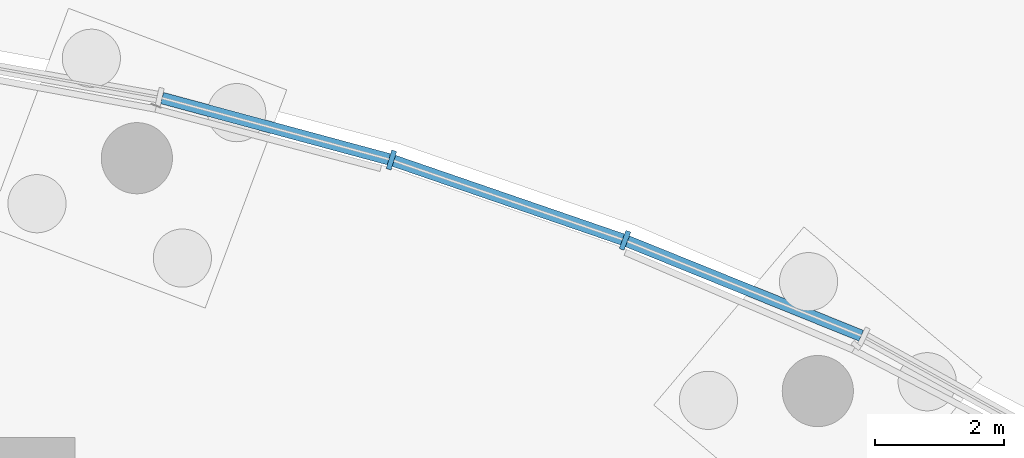
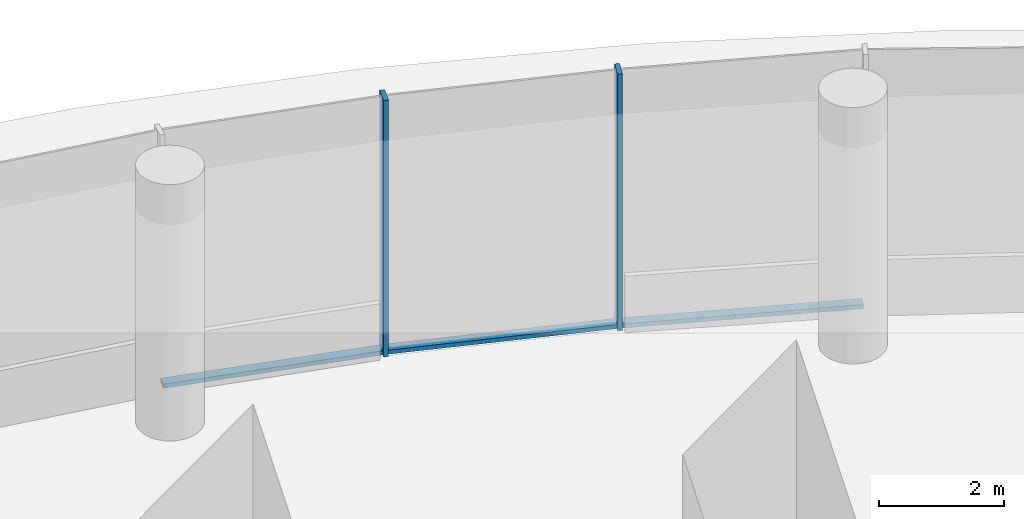
# One storey, part 6 of 29: 5 members, 1 element without a shape of its own.
"""IFC4 building model written with IfcOpenShell, lengths in metres."""

import ifcopenshell
import ifcopenshell.guid

model = None  # the IFC model being written
_history = None  # IfcOwnerHistory: only IFC2X3 demands one
_inside = {}  # id of a spatial element -> (the spatial element, [elements in it])
_under = {}  # id of a project, library or spatial element -> (it, [spatial elements below it])
_declared = {}  # id of a project -> (the project, [libraries it declares])
_typed = {}  # id of a type object -> (the type object, [elements of that type])
_made_of = {}  # id of a material, layer set ... -> (it, [elements and type objects made of it])


def new_model(schema):
    """Start an empty IFC model of exactly this schema.

    Asked for "IFC4X3", IfcOpenShell would pick the latest addendum, in which some entities
    have other attributes; the version numbers below select the first issue.
    IFC2X3 requires an IfcOwnerHistory on every rooted entity: one is made here for all.
    """
    global model, _history
    if schema == "IFC4X3":
        model = ifcopenshell.file(schema_version=(4, 3, 0, 0))
    else:
        model = ifcopenshell.file(schema=schema)
    _inside.clear()
    _under.clear()
    _declared.clear()
    _typed.clear()
    _made_of.clear()
    _history = None
    if model.schema == "IFC2X3":
        org = make("IfcOrganization", Name="unknown")
        user = make(
            "IfcPersonAndOrganization",
            ThePerson=make("IfcPerson", FamilyName="unknown"),
            TheOrganization=org,
        )
        app = make(
            "IfcApplication",
            ApplicationDeveloper=org,
            Version="unknown",
            ApplicationFullName="unknown",
            ApplicationIdentifier="unknown",
        )
        _history = make(
            "IfcOwnerHistory",
            OwningUser=user,
            OwningApplication=app,
            ChangeAction="ADDED",
            CreationDate=0,
        )
    return model


def make(cls, **values):
    """One entity of the class cls with the attributes given. An attribute that is None is left unset."""
    return model.create_entity(
        cls, **{name: value for name, value in values.items() if value is not None}
    )


def rooted(cls, **values):
    """An entity with a GlobalId (a new one), such as an element, a storey or a relation."""
    return make(cls, GlobalId=ifcopenshell.guid.new(), OwnerHistory=_history, **values)


def si_unit(unit_type, name, prefix=None):
    """IfcSIUnit, for example si_unit("LENGTHUNIT", "METRE", prefix="MILLI")."""
    return make("IfcSIUnit", UnitType=unit_type, Prefix=prefix, Name=name)


def assignment(units):
    """IfcUnitAssignment: the units of a project."""
    return None if units is None else make("IfcUnitAssignment", Units=units)


def point(xyz):
    """IfcCartesianPoint."""
    return None if xyz is None else make("IfcCartesianPoint", Coordinates=xyz)


def direction(xyz):
    """IfcDirection."""
    return None if xyz is None else make("IfcDirection", DirectionRatios=xyz)


def frame(location, z_axis=None, x_axis=None):
    """IfcAxis2Placement3D, a coordinate frame: its origin and axes. An axis left out is left unset."""
    return make(
        "IfcAxis2Placement3D",
        Location=point(location),
        Axis=direction(z_axis),
        RefDirection=direction(x_axis),
    )


def frame_2d(location, x_axis=None):
    """IfcAxis2Placement2D, a coordinate frame in the plane: its origin and x axis."""
    return make(
        "IfcAxis2Placement2D", Location=point(location), RefDirection=direction(x_axis)
    )


def origin():
    """The frame at (0, 0, 0) with its axes left unset."""
    return frame((0.0, 0.0, 0.0))


def origin_2d():
    """The frame at (0, 0) in the plane with its x axis left unset."""
    return frame_2d((0.0, 0.0))


def place(relative_to, where):
    """IfcLocalPlacement: puts the frame where relative to a parent placement (None: the world)."""
    return make(
        "IfcLocalPlacement", PlacementRelTo=relative_to, RelativePlacement=where
    )


def context(
    kind, dimensions, precision=None, world=None, true_north=None, identifier=None
):
    """IfcGeometricRepresentationContext, for example the 3D "Model" context."""
    return make(
        "IfcGeometricRepresentationContext",
        ContextIdentifier=identifier,
        ContextType=kind,
        CoordinateSpaceDimension=dimensions,
        Precision=precision,
        WorldCoordinateSystem=world,
        TrueNorth=true_north,
    )


def subcontext(parent, identifier, kind, view, scale=None):
    """IfcGeometricRepresentationSubContext, for example "Body" below "Model"."""
    return make(
        "IfcGeometricRepresentationSubContext",
        ContextIdentifier=identifier,
        ContextType=kind,
        ParentContext=parent,
        TargetScale=scale,
        TargetView=view,
    )


def project(units=None, contexts=None):
    """IfcProject with its units and contexts."""
    return rooted(
        "IfcProject",
        Name="project",
        RepresentationContexts=contexts,
        UnitsInContext=assignment(units),
    )


def spatial(cls, under=None, at=None, **own):
    """A site, building, storey or space (cls), placed at a placement, below another one or the project."""
    s = rooted(cls, ObjectPlacement=at, **own)
    if under is not None:
        _under.setdefault(under.id(), (under, []))[1].append(s)
    return s


def profile(cls, at=None, kind="AREA", **sizes):
    """A parametric profile (cls). Its sizes go by their IFC names, for example OverallWidth=200.0."""
    return make(cls, ProfileType=kind, Position=at, **sizes)


def rectangle(**sizes):
    """IfcRectangleProfileDef."""
    return profile("IfcRectangleProfileDef", **sizes)


def extrude(swept, where, along, depth):
    """IfcExtrudedAreaSolid: the profile swept, set in the frame where, extruded along a direction by depth."""
    return make(
        "IfcExtrudedAreaSolid",
        SweptArea=swept,
        Position=where,
        ExtrudedDirection=direction(along),
        Depth=depth,
    )


def shape(context_of_items, identifier, shape_type, items):
    """IfcShapeRepresentation: the items that make up one representation, for example the "Body"."""
    return make(
        "IfcShapeRepresentation",
        ContextOfItems=context_of_items,
        RepresentationIdentifier=identifier,
        RepresentationType=shape_type,
        Items=items,
    )


def material(Name=None, Category=None):
    """IfcMaterial."""
    return make("IfcMaterial", Name=Name, Category=Category)


def material_profile(
    of_material, cross_section, Name=None, Category=None, Priority=None
):
    """IfcMaterialProfile: a cross section and its material."""
    return make(
        "IfcMaterialProfile",
        Name=Name,
        Material=of_material,
        Profile=cross_section,
        Priority=Priority,
        Category=Category,
    )


def profile_set(profiles, Name=None, composite=None):
    """IfcMaterialProfileSet."""
    return make(
        "IfcMaterialProfileSet",
        Name=Name,
        MaterialProfiles=profiles,
        CompositeProfile=composite,
    )


def made_of(thing, what):
    """Note that an element or type object is made of a material, layer set ...; save() writes the relation."""
    if what is not None:
        _made_of.setdefault(what.id(), (what, []))[1].append(thing)
    return thing


def type_object(cls, material=None, **own):
    """A type object (cls), such as IfcWallType, which elements share."""
    return made_of(rooted(cls, **own), material)


def element(
    cls,
    number,
    at=None,
    inside=None,
    cuts=None,
    type_object=None,
    material=None,
    context=None,
    identifier="Body",
    shape_type=None,
    held_by="IfcProductDefinitionShape",
    body=None,
    shapes=None,
    **own,
):
    """One element of the class cls, such as IfcWall. Its Tag is "e" and its number.

    at: its placement. inside: the storey or other place that contains it. cuts: it is an
    opening in that element (IfcRelVoidsElement). A single representation is given by context,
    identifier, shape_type and body (its items); several are given by shapes. held_by: the class
    of the entity that holds the representations. save() writes the other relations.
    """
    e = rooted(cls, Tag="e%d" % number, ObjectPlacement=at, **own)
    if body is not None:
        shapes = [shape(context, identifier, shape_type, body)]
    if shapes is not None:
        e.Representation = make(held_by, Representations=shapes)
    if inside is not None:
        _inside.setdefault(inside.id(), (inside, []))[1].append(e)
    if cuts is not None:
        rooted(
            "IfcRelVoidsElement", RelatingBuildingElement=cuts, RelatedOpeningElement=e
        )
    if type_object is not None:
        _typed.setdefault(type_object.id(), (type_object, []))[1].append(e)
    return made_of(e, material)


def aggregate(whole, parts):
    """IfcRelAggregates: a whole, such as a stair, and the parts it consists of."""
    return rooted("IfcRelAggregates", RelatingObject=whole, RelatedObjects=parts)


def save(model, path):
    """Write the relations noted so far, then the file.

    IfcRelAggregates (storeys below a building ...), IfcRelContainedInSpatialStructure (elements
    in a storey), IfcRelDefinesByType, IfcRelAssociatesMaterial and IfcRelDeclares: one each for
    every whole, place, type object, material and project.
    """
    for whole, parts in _under.values():
        aggregate(whole, parts)
    for where, things in _inside.values():
        rooted(
            "IfcRelContainedInSpatialStructure",
            RelatedElements=things,
            RelatingStructure=where,
        )
    for kind, things in _typed.values():
        rooted("IfcRelDefinesByType", RelatedObjects=things, RelatingType=kind)
    for what, things in _made_of.values():
        rooted("IfcRelAssociatesMaterial", RelatedObjects=things, RelatingMaterial=what)
    for by, libraries in _declared.values():
        rooted("IfcRelDeclares", RelatingContext=by, RelatedDefinitions=libraries)
    model.write(path)


model = new_model("IFC4")

# Units and contexts
model_context = context("Model", 3, precision=1e-05, world=origin(), true_north=direction((0.0, 1.0)))
body_context = subcontext(model_context, "Body", "Model", "MODEL_VIEW")
ifc_project = project(units=[si_unit("LENGTHUNIT", "METRE"), si_unit("AREAUNIT", "SQUARE_METRE"), si_unit("VOLUMEUNIT", "CUBIC_METRE"), si_unit("PLANEANGLEUNIT", "RADIAN"), si_unit("MASSUNIT", "GRAM", prefix="KILO")], contexts=[model_context])

# Site, building, storey
site_placement = place(None, origin())
site = spatial("IfcSite", under=ifc_project, at=site_placement, CompositionType="ELEMENT")
building_placement = place(site_placement, origin())
building = spatial("IfcBuilding", under=site, at=building_placement, Name="Ghaith Harvest Tower", CompositionType="ELEMENT")
storey_placement = place(building_placement, origin())
storey = spatial("IfcBuildingStorey", under=building, at=storey_placement, Name="L00", CompositionType="ELEMENT", Elevation=0.0)

# Curtain wall, members
ifc_material_1 = material(Name="Black anodised aluminium and fritted glass", Category="aluminium")
curtain_wall_type = type_object("IfcCurtainWallType", Name="CW-P CURTAIN WALL", PredefinedType="NOTDEFINED", material=ifc_material_1)
curtain_wall_placement = place(storey_placement, origin())
curtain_wall = element("IfcCurtainWall", 1, at=curtain_wall_placement, inside=storey, type_object=curtain_wall_type, Name="Curtain wall CW-P bay 04 L00", PredefinedType="NOTDEFINED")
ifc_material_2 = material(Name="Aluminium, black anodised", Category="aluminium")
ifc_material_profile_1 = material_profile(ifc_material_2, rectangle(XDim=0.080078125, YDim=0.300048828125, at=origin_2d()), Name="CW-P MULLION 80x300")
ifc_profile_set_1 = profile_set([ifc_material_profile_1], Name="Aluminium, black anodised")
member_type_1 = type_object("IfcMemberType", Name="CW-P MULLION 80x300", PredefinedType="MULLION", material=ifc_profile_set_1)
member_1_placement = place(storey_placement, frame((18.34716796875, 27.622802734375, 0.0), z_axis=(0.0, 0.0, 1.0), x_axis=(-0.936543101258, 0.350552448981, 0.0)))
member_1 = element("IfcMember", 2, at=member_1_placement, type_object=member_type_1, Name="CW-P mullion 2 bay 04 L00", PredefinedType="MULLION", context=body_context, shape_type="SweptSolid", body=[
    extrude(rectangle(XDim=0.080078125, YDim=0.300048828125, at=origin_2d()), origin(), (0.0, 0.0, 1.0), 5.0),
])
member_2_placement = place(storey_placement, frame((14.736083984375, 28.86474609375, 0.0), z_axis=(0.0, 0.0, 1.0), x_axis=(-0.955939882906, 0.293562498064, 0.0)))
member_2 = element("IfcMember", 3, at=member_2_placement, type_object=member_type_1, Name="CW-P mullion 3 bay 04 L00", PredefinedType="MULLION", context=body_context, shape_type="SweptSolid", body=[
    extrude(rectangle(XDim=0.080078125, YDim=0.300048828125, at=origin_2d()), origin(), (0.0, 0.0, 1.0), 5.0),
])
ifc_material_3 = material(Name="Aluminium, black anodised", Category="aluminium")
ifc_material_profile_2 = material_profile(ifc_material_3, rectangle(XDim=0.179931640625, YDim=0.080078125, at=origin_2d()), Name="CW-P TRANSOM 180x80")
ifc_profile_set_2 = profile_set([ifc_material_profile_2], Name="Aluminium, black anodised")
member_type_2 = type_object("IfcMemberType", Name="CW-P TRANSOM 180x80", PredefinedType="USERDEFINED", material=ifc_profile_set_2)
member_3_placement = place(storey_placement, frame((21.99951171875, 26.147216796875, 0.0400390625), z_axis=(-0.927201694524, 0.374562434944, 0.0), x_axis=(-0.374562434944, -0.927201694524, 0.0)))
member_3 = element("IfcMember", 4, at=member_3_placement, type_object=member_type_2, Name="CW-P transom 1 bay 04 L00", ObjectType="TRANSOM", PredefinedType="USERDEFINED", context=body_context, shape_type="SweptSolid", body=[
    extrude(rectangle(XDim=0.179931640625, YDim=0.080078125, at=origin_2d()), origin(), (0.0, 0.0, 1.0), 3.899169921875),
])
member_4_placement = place(storey_placement, frame((18.3095703125, 27.6357421875, 0.0400390625), z_axis=(-0.945637034145, 0.325223922328, 0.0), x_axis=(-0.325223922328, -0.945637034145, 0.0)))
member_4 = element("IfcMember", 5, at=member_4_placement, type_object=member_type_2, Name="CW-P transom 2 bay 04 L00", ObjectType="TRANSOM", PredefinedType="USERDEFINED", context=body_context, shape_type="SweptSolid", body=[
    extrude(rectangle(XDim=0.179931640625, YDim=0.080078125, at=origin_2d()), origin(), (0.0, 0.0, 1.0), 3.7392578125),
])
member_5_placement = place(storey_placement, frame((14.697265625, 28.875244140625, 0.0400390625), z_axis=(-0.965441599802, 0.260619487706, 0.0), x_axis=(-0.260619487706, -0.965441599802, 0.0)))
member_5 = element("IfcMember", 6, at=member_5_placement, type_object=member_type_2, Name="CW-P transom 3 bay 04 L00", ObjectType="TRANSOM", PredefinedType="USERDEFINED", context=body_context, shape_type="SweptSolid", body=[
    extrude(rectangle(XDim=0.179931640625, YDim=0.080078125, at=origin_2d()), origin(), (0.0, 0.0, 1.0), 3.6318359375),
])
aggregate(curtain_wall, [member_3, member_1, member_4, member_2, member_5])

save(model, "model.ifc")
